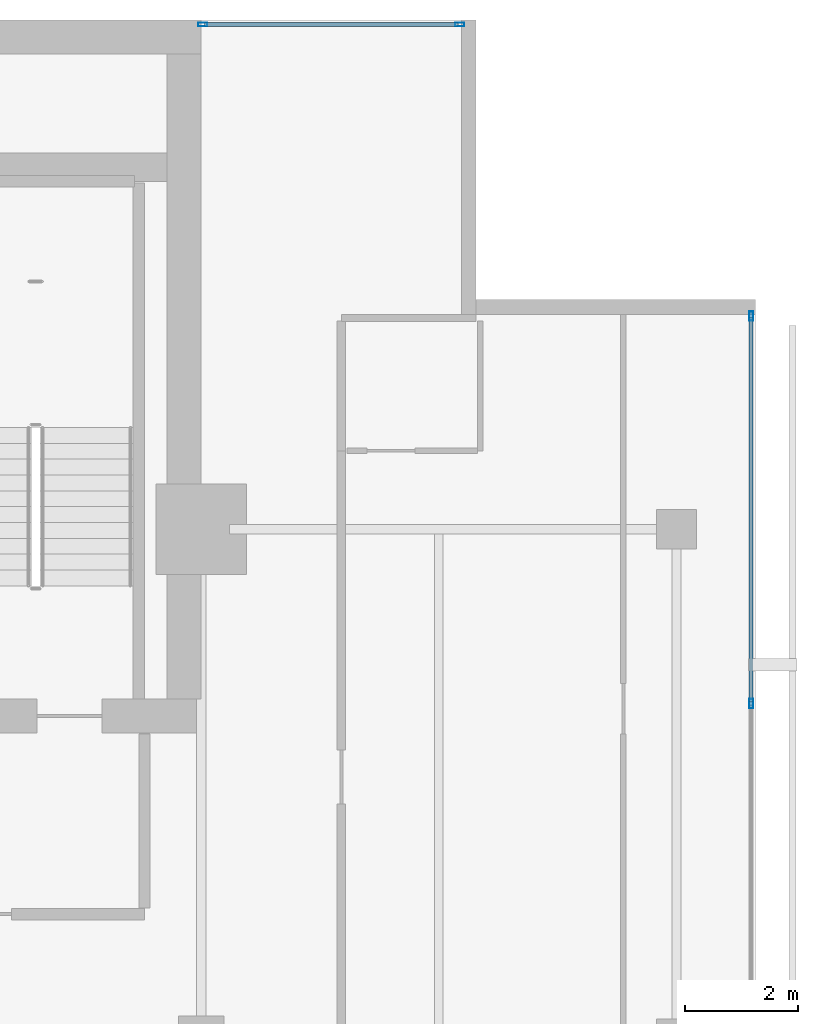
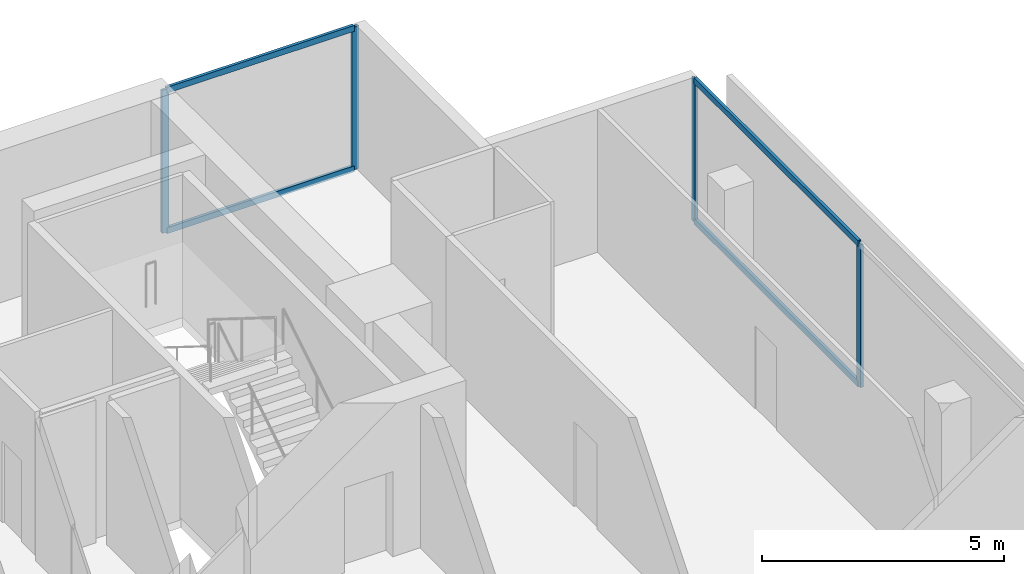
# One storey, part 18 of 25: 8 members, 2 elements without a shape of their own.
"""IFC4 building model written with IfcOpenShell, lengths in metres."""

from ifc_helpers import new_model, si_unit, direction, frame, origin, origin_2d, place, context, subcontext, project, spatial, hollow_rectangle, extrude, material, layer, layer_set, material_profile, profile_set, type_object, element, aggregate, save


model = new_model("IFC4")

# Units and contexts
model_context = context("Model", 3, precision=1e-05, world=origin(), true_north=direction((0.0, 1.0)))
body_context = subcontext(model_context, "Body", "Model", "MODEL_VIEW")
ifc_project = project(units=[si_unit("LENGTHUNIT", "METRE"), si_unit("AREAUNIT", "SQUARE_METRE"), si_unit("VOLUMEUNIT", "CUBIC_METRE"), si_unit("PLANEANGLEUNIT", "RADIAN"), si_unit("MASSUNIT", "GRAM", prefix="KILO")], contexts=[model_context])

# Site, building, storey
site_placement = place(None, origin())
site = spatial("IfcSite", under=ifc_project, at=site_placement, CompositionType="ELEMENT")
building_placement = place(site_placement, origin())
building = spatial("IfcBuilding", under=site, at=building_placement, Name="Maruvema Waterfront Hotel and Observation Tower", CompositionType="ELEMENT")
storey_placement = place(building_placement, frame((0.0, 0.0, 277.89990234375)))
storey = spatial("IfcBuildingStorey", under=building, at=storey_placement, Name="L68", CompositionType="ELEMENT", Elevation=277.89990234375)

# Curtain wall, members
ifc_material_1 = material(Name="Anodised bronze aluminium and solar-control low-E IGU", Category="aluminium")
ifc_layer = layer(ifc_material_1, 0.159912109375, Name="Zone 3 Champagne Inner Thermal Curtain Wall System CW-04")
ifc_layer_set = layer_set([ifc_layer], Name="Anodised bronze aluminium and solar-control low-E IGU")
curtain_wall_type = type_object("IfcCurtainWallType", Name="Zone 3 Champagne Inner Thermal Curtain Wall System CW-04", PredefinedType="USERDEFINED", material=ifc_layer_set)
curtain_wall_1_placement = place(storey_placement, origin())
curtain_wall_1 = element("IfcCurtainWall", 1, at=curtain_wall_1_placement, inside=storey, type_object=curtain_wall_type, Name="L68 Curtain Wall CW-L68-E", ObjectType="UNITISED CURTAIN WALL", PredefinedType="USERDEFINED")
ifc_material_2 = material(Name="Anodised architectural bronze aluminium", Category="aluminium")
ifc_material_profile_1 = material_profile(ifc_material_2, hollow_rectangle(XDim=0.070068359375, YDim=0.14990234375, WallThickness=0.00390625, at=origin_2d()), Name="ALU-T70x150")
ifc_profile_set_1 = profile_set([ifc_material_profile_1], Name="Anodised architectural bronze aluminium")
member_type_1 = type_object("IfcMemberType", Name="Curtain Wall Horizontal Transom ALU-T70x150", PredefinedType="USERDEFINED", material=ifc_profile_set_1)
member_1_placement = place(storey_placement, frame((60.1201171875, 41.949951171875, 0.030029296875), z_axis=(0.0, 1.0, 0.0), x_axis=(-1.0, 0.0, 0.0)))
member_1 = element("IfcMember", 2, at=member_1_placement, type_object=member_type_1, Name="CW-04 transom 5.1", ObjectType="TRANSOM", PredefinedType="USERDEFINED", context=body_context, shape_type="SweptSolid", body=[
    extrude(hollow_rectangle(XDim=0.070068359375, YDim=0.14990234375, WallThickness=0.00390625, at=origin_2d()), origin(), (0.0, 0.0, 1.0), 6.7900390625),
])
member_2_placement = place(storey_placement, frame((60.1201171875, 41.949951171875, 3.580078125), z_axis=(0.0, 1.0, 0.0), x_axis=(-1.0, 0.0, 0.0)))
member_2 = element("IfcMember", 3, at=member_2_placement, type_object=member_type_1, Name="CW-04 transom 5.2", ObjectType="TRANSOM", PredefinedType="USERDEFINED", context=body_context, shape_type="SweptSolid", body=[
    extrude(hollow_rectangle(XDim=0.070068359375, YDim=0.14990234375, WallThickness=0.00390625, at=origin_2d()), origin(), (0.0, 0.0, 1.0), 6.7900390625),
])

curtain_wall_2_placement = place(storey_placement, origin())
curtain_wall_2 = element("IfcCurtainWall", 4, at=curtain_wall_2_placement, inside=storey, type_object=curtain_wall_type, Name="L68 Curtain Wall CW-L68-NE", ObjectType="UNITISED CURTAIN WALL", PredefinedType="USERDEFINED")
member_3_placement = place(storey_placement, frame((54.93994140625, 53.919921875, 0.030029296875), z_axis=(-1.0, 0.0, 0.0), x_axis=(0.0, -1.0, 0.0)))
member_3 = element("IfcMember", 5, at=member_3_placement, type_object=member_type_1, Name="CW-04 transom 1.1", ObjectType="TRANSOM", PredefinedType="USERDEFINED", context=body_context, shape_type="SweptSolid", body=[
    extrude(hollow_rectangle(XDim=0.070068359375, YDim=0.14990234375, WallThickness=0.00390625, at=origin_2d()), origin(), (0.0, 0.0, 1.0), 4.47998046875),
])
member_4_placement = place(storey_placement, frame((54.93994140625, 53.919921875, 3.580078125), z_axis=(-1.0, 0.0, 0.0), x_axis=(0.0, -1.0, 0.0)))
member_4 = element("IfcMember", 6, at=member_4_placement, type_object=member_type_1, Name="CW-04 transom 1.2", ObjectType="TRANSOM", PredefinedType="USERDEFINED", context=body_context, shape_type="SweptSolid", body=[
    extrude(hollow_rectangle(XDim=0.070068359375, YDim=0.14990234375, WallThickness=0.00390625, at=origin_2d()), origin(), (0.0, 0.0, 1.0), 4.47998046875),
])

# Member
ifc_material_3 = material(Name="Anodised architectural bronze aluminium", Category="aluminium")
ifc_material_profile_2 = material_profile(ifc_material_3, hollow_rectangle(XDim=0.06494140625, YDim=0.1650390625, WallThickness=0.00390625, at=origin_2d()), Name="ALU-M65x165")
ifc_profile_set_2 = profile_set([ifc_material_profile_2], Name="Anodised architectural bronze aluminium")
member_type_2 = type_object("IfcMemberType", Name="Curtain Wall Primary Mullion ALU-M65x165", PredefinedType="MULLION", material=ifc_profile_set_2)
member_5_placement = place(storey_placement, frame((60.1201171875, 41.919921875, 0.0), z_axis=(0.0, 0.0, 1.0), x_axis=(-1.0, 0.0, 0.0)))
member_5 = element("IfcMember", 7, at=member_5_placement, type_object=member_type_2, Name="CW-04 mullion 5", PredefinedType="MULLION", context=body_context, shape_type="SweptSolid", body=[
    extrude(hollow_rectangle(XDim=0.06494140625, YDim=0.1650390625, WallThickness=0.00390625, at=origin_2d()), origin(), (0.0, 0.0, 1.0), 3.610107421875),
])

member_6_placement = place(storey_placement, frame((60.1201171875, 48.77001953125, 0.0), z_axis=(0.0, 0.0, 1.0), x_axis=(-1.0, 0.0, 0.0)))
member_6 = element("IfcMember", 8, at=member_6_placement, type_object=member_type_2, Name="CW-04 mullion 6", PredefinedType="MULLION", context=body_context, shape_type="SweptSolid", body=[
    extrude(hollow_rectangle(XDim=0.06494140625, YDim=0.1650390625, WallThickness=0.00390625, at=origin_2d()), origin(), (0.0, 0.0, 1.0), 3.610107421875),
])

aggregate(curtain_wall_1, [member_5, member_6, member_1, member_2])

member_7_placement = place(storey_placement, frame((54.969970703125, 53.919921875, 0.0), z_axis=(0.0, 0.0, 1.0), x_axis=(0.0, -1.0, 0.0)))
member_7 = element("IfcMember", 9, at=member_7_placement, type_object=member_type_2, Name="CW-04 mullion 1", PredefinedType="MULLION", context=body_context, shape_type="SweptSolid", body=[
    extrude(hollow_rectangle(XDim=0.06494140625, YDim=0.1650390625, WallThickness=0.00390625, at=origin_2d()), origin(), (0.0, 0.0, 1.0), 3.610107421875),
])

member_8_placement = place(storey_placement, frame((50.429931640625, 53.919921875, 0.0), z_axis=(0.0, 0.0, 1.0), x_axis=(0.0, -1.0, 0.0)))
member_8 = element("IfcMember", 10, at=member_8_placement, type_object=member_type_2, Name="CW-04 mullion 2", PredefinedType="MULLION", context=body_context, shape_type="SweptSolid", body=[
    extrude(hollow_rectangle(XDim=0.06494140625, YDim=0.1650390625, WallThickness=0.00390625, at=origin_2d()), origin(), (0.0, 0.0, 1.0), 3.610107421875),
])

aggregate(curtain_wall_2, [member_7, member_8, member_3, member_4])

save(model, "model.ifc")
